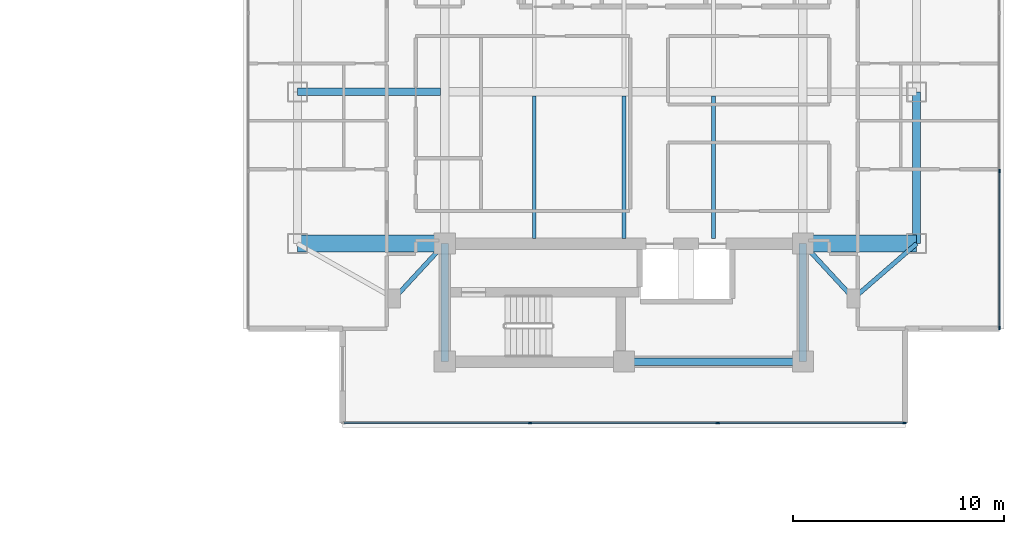
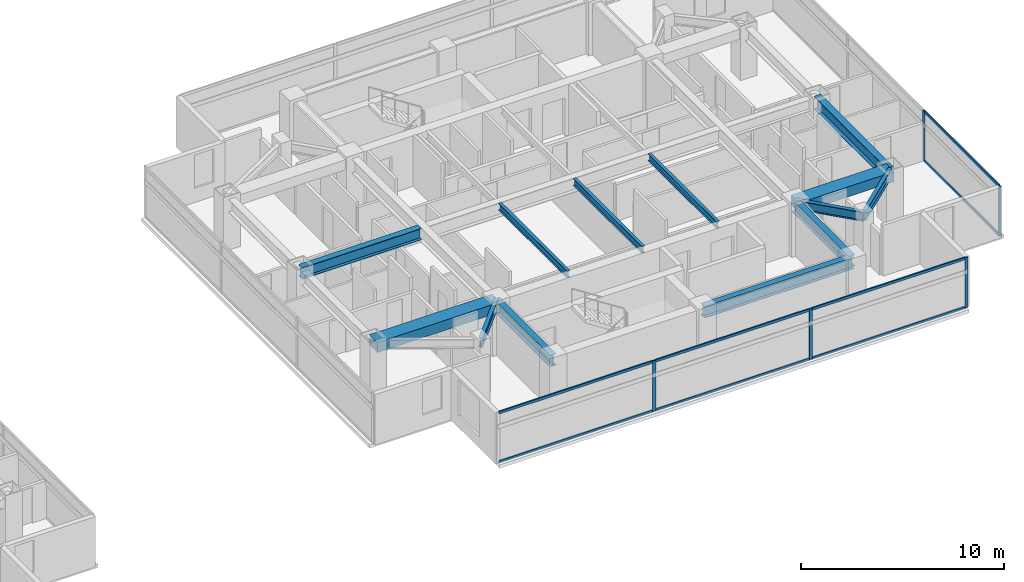
# One storey, part 9 of 26: 13 beams, 13 members, 2 elements without a shape of their own.
"""IFC4 building model written with IfcOpenShell, lengths in metres."""

from ifc_helpers import new_model, si_unit, direction, frame, origin, origin_2d, place, context, subcontext, project, spatial, rectangle, i_section, extrude, material, material_profile, profile_set, type_object, element, aggregate, save


model = new_model("IFC4")

# Units and contexts
model_context = context("Model", 3, precision=1e-05, world=origin(), true_north=direction((0.0, 1.0)))
body_context = subcontext(model_context, "Body", "Model", "MODEL_VIEW")
ifc_project = project(units=[si_unit("LENGTHUNIT", "METRE"), si_unit("AREAUNIT", "SQUARE_METRE"), si_unit("VOLUMEUNIT", "CUBIC_METRE"), si_unit("PLANEANGLEUNIT", "RADIAN"), si_unit("MASSUNIT", "GRAM", prefix="KILO")], contexts=[model_context])

# Site, building, storey
site_placement = place(None, origin())
site = spatial("IfcSite", under=ifc_project, at=site_placement, CompositionType="ELEMENT")
building_placement = place(site_placement, origin())
building = spatial("IfcBuilding", under=site, at=building_placement, Name="Mirazonda Arch Towers", CompositionType="ELEMENT")
storey_placement = place(building_placement, frame((0.0, 0.0, 170.64990234375)))
storey = spatial("IfcBuildingStorey", under=building, at=storey_placement, Name="L48", CompositionType="ELEMENT", Elevation=170.64990234375)

# Beams
ifc_material_1 = material(Name="Steel ASTM A992 Grade 50", Category="steel")
ifc_material_profile_1 = material_profile(ifc_material_1, i_section(OverallWidth=0.381103515625, OverallDepth=0.77294921875, WebThickness=0.0166015625, FlangeThickness=0.027099609375, at=origin_2d()), Name="W30X173")
ifc_profile_set_1 = profile_set([ifc_material_profile_1], Name="Steel ASTM A992 Grade 50")
beam_type_1 = type_object("IfcBeamType", Name="BM-EXT-W30X173", PredefinedType="USERDEFINED", material=ifc_profile_set_1)
beam_1_placement = place(storey_placement, frame((90.39990234375, 20.800048828125, 2.66357421875), z_axis=(0.0, 1.0, 0.0), x_axis=(-1.0, 0.0, 0.0)))
element("IfcBeam", 1, at=beam_1_placement, inside=storey, type_object=beam_type_1, Name="L48 Floor Beam BM-T2-L48-NS-E-20", ObjectType="GIRDER", PredefinedType="USERDEFINED", context=body_context, shape_type="SweptSolid", body=[
    extrude(i_section(OverallWidth=0.381103515625, OverallDepth=0.77294921875, WebThickness=0.0166015625, FlangeThickness=0.027099609375, at=origin_2d()), origin(), (0.0, 0.0, 1.0), 7.199951171875),
])
ifc_material_profile_2 = material_profile(ifc_material_1, i_section(OverallWidth=0.180908203125, OverallDepth=0.4169921875, WebThickness=0.010986328125, FlangeThickness=0.018310546875, at=origin_2d()), Name="W16X57")
ifc_profile_set_2 = profile_set([ifc_material_profile_2], Name="Steel ASTM A992 Grade 50")
beam_type_2 = type_object("IfcBeamType", Name="BM-INT-W16X57", PredefinedType="JOIST", material=ifc_profile_set_2)
for number, where, z_axis, x_axis, name in (
    (2, (72.25, 21.0400390625, 2.841552734375), (0.0, 1.0, 0.0), (-1.0, 0.0, 0.0), "L48 Floor Beam BM-T2-L48-J-722-20"),
    (3, (76.5, 21.0400390625, 2.841552734375), (0.0, 1.0, 0.0), (-1.0, 0.0, 0.0), "L48 Floor Beam BM-T2-L48-J-765-20"),
    (4, (80.75, 21.0400390625, 2.841552734375), (0.0, 1.0, 0.0), (-1.0, 0.0, 0.0), "L48 Floor Beam BM-T2-L48-J-807-20"),
):
    element("IfcBeam", number, at=place(storey_placement, frame(where, z_axis=z_axis, x_axis=x_axis)), inside=storey, type_object=beam_type_2, Name=name, PredefinedType="JOIST", context=body_context, shape_type="SweptSolid", body=[
        extrude(i_section(OverallWidth=0.180908203125, OverallDepth=0.4169921875, WebThickness=0.010986328125, FlangeThickness=0.018310546875, at=origin_2d()), origin(), (0.0, 0.0, 1.0), 6.763916015625),
    ])
ifc_material_profile_3 = material_profile(ifc_material_1, i_section(OverallWidth=0.214111328125, OverallDepth=0.549072265625, WebThickness=0.0146484375, FlangeThickness=0.023681640625, at=origin_2d()), Name="W21X93")
ifc_profile_set_3 = profile_set([ifc_material_profile_3], Name="Steel ASTM A992 Grade 50")
beam_type_3 = type_object("IfcBeamType", Name="BM-INT-W21X93", PredefinedType="BEAM", material=ifc_profile_set_3)
for number, where, z_axis, x_axis, name in (
    (5, (65.60009765625, 18.199951171875, 2.775634765625), (0.678251444854, 0.734829897019, 0.0), (-0.734829897019, 0.678251444854, 0.0), "L48 Floor Beam BM-T2-L48-PL-SW1"),
    (6, (87.39990234375, 18.199951171875, 2.775634765625), (-0.678251444854, 0.734829897019, 0.0), (-0.734829897019, -0.678251444854, 0.0), "L48 Floor Beam BM-T2-L48-PL-SE1"),
):
    element("IfcBeam", number, at=place(storey_placement, frame(where, z_axis=z_axis, x_axis=x_axis)), inside=storey, type_object=beam_type_3, Name=name, PredefinedType="BEAM", context=body_context, shape_type="SweptSolid", body=[
        extrude(i_section(OverallWidth=0.214111328125, OverallDepth=0.549072265625, WebThickness=0.0146484375, FlangeThickness=0.023681640625, at=origin_2d()), origin(), (0.0, 0.0, 1.0), 3.538330078125),
    ])
beam_2_placement = place(storey_placement, frame((87.39990234375, 18.199951171875, 2.775634765625), z_axis=(0.755676908098, 0.654944585876, 0.0), x_axis=(-0.654944585876, 0.755676908098, 0.0)))
element("IfcBeam", 7, at=beam_2_placement, inside=storey, type_object=beam_type_3, Name="L48 Floor Beam BM-T2-L48-PL-SE2", PredefinedType="BEAM", context=body_context, shape_type="SweptSolid", body=[
    extrude(i_section(OverallWidth=0.214111328125, OverallDepth=0.549072265625, WebThickness=0.0146484375, FlangeThickness=0.023681640625, at=origin_2d()), origin(), (0.0, 0.0, 1.0), 3.969970703125),
])
ifc_material_profile_4 = material_profile(ifc_material_1, i_section(OverallWidth=0.35498046875, OverallDepth=0.696044921875, WebThickness=0.015380859375, FlangeThickness=0.02490234375, at=origin_2d()), Name="W27X146")
ifc_profile_set_4 = profile_set([ifc_material_profile_4], Name="Steel ASTM A992 Grade 50")
beam_type_4 = type_object("IfcBeamType", Name="BM-INT-W27X146", PredefinedType="BEAM", material=ifc_profile_set_4)
beam_3_placement = place(storey_placement, frame((76.5, 15.199951171875, 2.7021484375), z_axis=(1.0, 0.0, 0.0), x_axis=(0.0, 1.0, 0.0)))
element("IfcBeam", 8, at=beam_3_placement, inside=storey, type_object=beam_type_4, Name="L48 Floor Beam BM-T2-L48-CS2", PredefinedType="BEAM", context=body_context, shape_type="SweptSolid", body=[
    extrude(i_section(OverallWidth=0.35498046875, OverallDepth=0.696044921875, WebThickness=0.015380859375, FlangeThickness=0.02490234375, at=origin_2d()), origin(), (0.0, 0.0, 1.0), 8.5),
])
for number, where, z_axis, x_axis, name in (
    (9, (68.0, 15.199951171875, 2.7021484375), (0.0, 1.0, 0.0), (-1.0, 0.0, 0.0), "L48 Floor Beam BM-T2-L48-CSW"),
    (10, (85.0, 15.199951171875, 2.7021484375), (0.0, 1.0, 0.0), (-1.0, 0.0, 0.0), "L48 Floor Beam BM-T2-L48-CSE"),
):
    element("IfcBeam", number, at=place(storey_placement, frame(where, z_axis=z_axis, x_axis=x_axis)), inside=storey, type_object=beam_type_4, Name=name, PredefinedType="BEAM", context=body_context, shape_type="SweptSolid", body=[
        extrude(i_section(OverallWidth=0.35498046875, OverallDepth=0.696044921875, WebThickness=0.015380859375, FlangeThickness=0.02490234375, at=origin_2d()), origin(), (0.0, 0.0, 1.0), 5.60009765625),
    ])
beam_4_placement = place(storey_placement, frame((61.0, 28.0, 2.7021484375), z_axis=(1.0, 0.0, 0.0), x_axis=(0.0, 1.0, 0.0)))
element("IfcBeam", 11, at=beam_4_placement, inside=storey, type_object=beam_type_4, Name="L48 Floor Beam BM-T2-L48-GW2", PredefinedType="BEAM", context=body_context, shape_type="SweptSolid", body=[
    extrude(i_section(OverallWidth=0.35498046875, OverallDepth=0.696044921875, WebThickness=0.015380859375, FlangeThickness=0.02490234375, at=origin_2d()), origin(), (0.0, 0.0, 1.0), 6.800048828125),
])
ifc_material_2 = material(Name="Concrete C60/75", Category="concrete")
ifc_material_profile_5 = material_profile(ifc_material_2, rectangle(XDim=0.800048828125, YDim=0.60009765625, at=origin_2d()), Name="RCCB800x600")
ifc_profile_set_5 = profile_set([ifc_material_profile_5], Name="Concrete C60/75")
beam_type_5 = type_object("IfcBeamType", Name="CB-INT-RCCB800x600", PredefinedType="SPANDREL", material=ifc_profile_set_5)
beam_5_placement = place(storey_placement, frame((61.0, 20.800048828125, 2.75), z_axis=(1.0, 0.0, 0.0), x_axis=(0.0, 1.0, 0.0)))
element("IfcBeam", 12, at=beam_5_placement, inside=storey, type_object=beam_type_5, Name="L48 Floor Beam CBC-T2-L48-SW", PredefinedType="SPANDREL", context=body_context, shape_type="SweptSolid", body=[
    extrude(rectangle(XDim=0.800048828125, YDim=0.60009765625, at=origin_2d()), origin(), (0.0, 0.0, 1.0), 7.0),
])
beam_6_placement = place(storey_placement, frame((85.0, 20.800048828125, 2.75), z_axis=(1.0, 0.0, 0.0), x_axis=(0.0, 1.0, 0.0)))
element("IfcBeam", 13, at=beam_6_placement, inside=storey, type_object=beam_type_5, Name="L48 Floor Beam CBC-T2-L48-SE", PredefinedType="SPANDREL", context=body_context, shape_type="SweptSolid", body=[
    extrude(rectangle(XDim=0.800048828125, YDim=0.60009765625, at=origin_2d()), origin(), (0.0, 0.0, 1.0), 5.39990234375),
])

# Curtain wall, members
ifc_material_3 = material(Name="Anodised Aluminium and Low-E Glass", Category="aluminium")
curtain_wall_type = type_object("IfcCurtainWallType", Name="CW-RES-UNIT", PredefinedType="NOTDEFINED", material=ifc_material_3)
curtain_wall_1_placement = place(storey_placement, origin())
curtain_wall_1 = element("IfcCurtainWall", 14, at=curtain_wall_1_placement, inside=storey, type_object=curtain_wall_type, Name="L48 T2 S Facade CW-L48-T2-S", PredefinedType="NOTDEFINED")
ifc_material_4 = material(Name="Anodised Aluminium Alloy", Category="aluminium")
ifc_material_profile_6 = material_profile(ifc_material_4, rectangle(XDim=0.074951171875, YDim=0.175048828125, at=origin_2d()), Name="ALU-MULL-75x175")
ifc_profile_set_6 = profile_set([ifc_material_profile_6], Name="Anodised Aluminium Alloy")
member_type_1 = type_object("IfcMemberType", Name="MULL-CW-RES-UNIT", PredefinedType="MULLION", material=ifc_profile_set_6)
member_1_placement = place(storey_placement, frame((89.81982421875, 12.2919921875, 0.0), z_axis=(0.0, 0.0, 1.0), x_axis=(0.0, -1.0, 0.0)))
member_1 = element("IfcMember", 15, at=member_1_placement, type_object=member_type_1, Name="CW-104 mullion 1", PredefinedType="MULLION", context=body_context, shape_type="SweptSolid", body=[
    extrude(rectangle(XDim=0.074951171875, YDim=0.175048828125, at=origin_2d()), origin(), (0.0, 0.0, 1.0), 3.030029296875),
])
member_2_placement = place(storey_placement, frame((80.952392578125, 12.2919921875, 0.0), z_axis=(0.0, 0.0, 1.0), x_axis=(0.0, -1.0, 0.0)))
member_2 = element("IfcMember", 16, at=member_2_placement, type_object=member_type_1, Name="CW-104 mullion 2", PredefinedType="MULLION", context=body_context, shape_type="SweptSolid", body=[
    extrude(rectangle(XDim=0.074951171875, YDim=0.175048828125, at=origin_2d()), origin(), (0.0, 0.0, 1.0), 3.030029296875),
])
member_3_placement = place(storey_placement, frame((72.047607421875, 12.2919921875, 0.0), z_axis=(0.0, 0.0, 1.0), x_axis=(0.0, -1.0, 0.0)))
member_3 = element("IfcMember", 17, at=member_3_placement, type_object=member_type_1, Name="CW-104 mullion 3", PredefinedType="MULLION", context=body_context, shape_type="SweptSolid", body=[
    extrude(rectangle(XDim=0.074951171875, YDim=0.175048828125, at=origin_2d()), origin(), (0.0, 0.0, 1.0), 3.030029296875),
])

curtain_wall_2_placement = place(storey_placement, origin())
curtain_wall_2 = element("IfcCurtainWall", 18, at=curtain_wall_2_placement, inside=storey, type_object=curtain_wall_type, Name="L48 T2 E Facade CW-L48-T2-E", PredefinedType="NOTDEFINED")
member_4_placement = place(storey_placement, frame((94.322509765625, 16.794677734375, 0.0), z_axis=(0.0, 0.0, 1.0), x_axis=(-1.0, 0.0, 0.0)))
member_4 = element("IfcMember", 19, at=member_4_placement, type_object=member_type_1, Name="CW-104 mullion 1", PredefinedType="MULLION", context=body_context, shape_type="SweptSolid", body=[
    extrude(rectangle(XDim=0.074951171875, YDim=0.175048828125, at=origin_2d()), origin(), (0.0, 0.0, 1.0), 3.030029296875),
])
member_5_placement = place(storey_placement, frame((94.322509765625, 24.25244140625, 0.0), z_axis=(0.0, 0.0, 1.0), x_axis=(-1.0, 0.0, 0.0)))
member_5 = element("IfcMember", 20, at=member_5_placement, type_object=member_type_1, Name="CW-104 mullion 2", PredefinedType="MULLION", context=body_context, shape_type="SweptSolid", body=[
    extrude(rectangle(XDim=0.074951171875, YDim=0.175048828125, at=origin_2d()), origin(), (0.0, 0.0, 1.0), 3.030029296875),
])

# Member
ifc_material_profile_7 = material_profile(ifc_material_4, rectangle(XDim=0.074951171875, YDim=0.155029296875, at=origin_2d()), Name="ALU-TRAN-75x155")
ifc_profile_set_7 = profile_set([ifc_material_profile_7], Name="Anodised Aluminium Alloy")
member_type_2 = type_object("IfcMemberType", Name="TRAN-CW-RES-UNIT", PredefinedType="USERDEFINED", material=ifc_profile_set_7)
member_6_placement = place(storey_placement, frame((89.7822265625, 12.2919921875, 0.03759765625), z_axis=(-1.0, 0.0, 0.0), x_axis=(0.0, -1.0, 0.0)))
member_6 = element("IfcMember", 21, at=member_6_placement, type_object=member_type_2, Name="CW-104 transom 1.1", ObjectType="TRANSOM", PredefinedType="USERDEFINED", context=body_context, shape_type="SweptSolid", body=[
    extrude(rectangle(XDim=0.074951171875, YDim=0.155029296875, at=origin_2d()), origin(), (0.0, 0.0, 1.0), 8.792236328125),
])

member_7_placement = place(storey_placement, frame((89.7822265625, 12.2919921875, 2.99267578125), z_axis=(-1.0, 0.0, 0.0), x_axis=(0.0, -1.0, 0.0)))
member_7 = element("IfcMember", 22, at=member_7_placement, type_object=member_type_2, Name="CW-104 transom 1.2", ObjectType="TRANSOM", PredefinedType="USERDEFINED", context=body_context, shape_type="SweptSolid", body=[
    extrude(rectangle(XDim=0.074951171875, YDim=0.155029296875, at=origin_2d()), origin(), (0.0, 0.0, 1.0), 8.792236328125),
])

member_8_placement = place(storey_placement, frame((80.9150390625, 12.2919921875, 0.03759765625), z_axis=(-1.0, 0.0, 0.0), x_axis=(0.0, -1.0, 0.0)))
member_8 = element("IfcMember", 23, at=member_8_placement, type_object=member_type_2, Name="CW-104 transom 2.1", ObjectType="TRANSOM", PredefinedType="USERDEFINED", context=body_context, shape_type="SweptSolid", body=[
    extrude(rectangle(XDim=0.074951171875, YDim=0.155029296875, at=origin_2d()), origin(), (0.0, 0.0, 1.0), 8.830078125),
])

member_9_placement = place(storey_placement, frame((80.9150390625, 12.2919921875, 2.99267578125), z_axis=(-1.0, 0.0, 0.0), x_axis=(0.0, -1.0, 0.0)))
member_9 = element("IfcMember", 24, at=member_9_placement, type_object=member_type_2, Name="CW-104 transom 2.2", ObjectType="TRANSOM", PredefinedType="USERDEFINED", context=body_context, shape_type="SweptSolid", body=[
    extrude(rectangle(XDim=0.074951171875, YDim=0.155029296875, at=origin_2d()), origin(), (0.0, 0.0, 1.0), 8.830078125),
])

member_10_placement = place(storey_placement, frame((72.010009765625, 12.2919921875, 0.03759765625), z_axis=(-1.0, 0.0, 0.0), x_axis=(0.0, -1.0, 0.0)))
member_10 = element("IfcMember", 25, at=member_10_placement, type_object=member_type_2, Name="CW-104 transom 3.1", ObjectType="TRANSOM", PredefinedType="USERDEFINED", context=body_context, shape_type="SweptSolid", body=[
    extrude(rectangle(XDim=0.074951171875, YDim=0.155029296875, at=origin_2d()), origin(), (0.0, 0.0, 1.0), 8.792236328125),
])

member_11_placement = place(storey_placement, frame((72.010009765625, 12.2919921875, 2.99267578125), z_axis=(-1.0, 0.0, 0.0), x_axis=(0.0, -1.0, 0.0)))
member_11 = element("IfcMember", 26, at=member_11_placement, type_object=member_type_2, Name="CW-104 transom 3.2", ObjectType="TRANSOM", PredefinedType="USERDEFINED", context=body_context, shape_type="SweptSolid", body=[
    extrude(rectangle(XDim=0.074951171875, YDim=0.155029296875, at=origin_2d()), origin(), (0.0, 0.0, 1.0), 8.792236328125),
])

aggregate(curtain_wall_1, [member_1, member_2, member_3, member_6, member_7, member_8, member_9, member_10, member_11])

member_12_placement = place(storey_placement, frame((94.322509765625, 16.832275390625, 0.03759765625), z_axis=(0.0, 1.0, 0.0), x_axis=(-1.0, 0.0, 0.0)))
member_12 = element("IfcMember", 27, at=member_12_placement, type_object=member_type_2, Name="CW-104 transom 1.1", ObjectType="TRANSOM", PredefinedType="USERDEFINED", context=body_context, shape_type="SweptSolid", body=[
    extrude(rectangle(XDim=0.074951171875, YDim=0.155029296875, at=origin_2d()), origin(), (0.0, 0.0, 1.0), 7.382568359375),
])

member_13_placement = place(storey_placement, frame((94.322509765625, 16.832275390625, 2.99267578125), z_axis=(0.0, 1.0, 0.0), x_axis=(-1.0, 0.0, 0.0)))
member_13 = element("IfcMember", 28, at=member_13_placement, type_object=member_type_2, Name="CW-104 transom 1.2", ObjectType="TRANSOM", PredefinedType="USERDEFINED", context=body_context, shape_type="SweptSolid", body=[
    extrude(rectangle(XDim=0.074951171875, YDim=0.155029296875, at=origin_2d()), origin(), (0.0, 0.0, 1.0), 7.382568359375),
])

aggregate(curtain_wall_2, [member_4, member_5, member_12, member_13])

save(model, "model.ifc")
